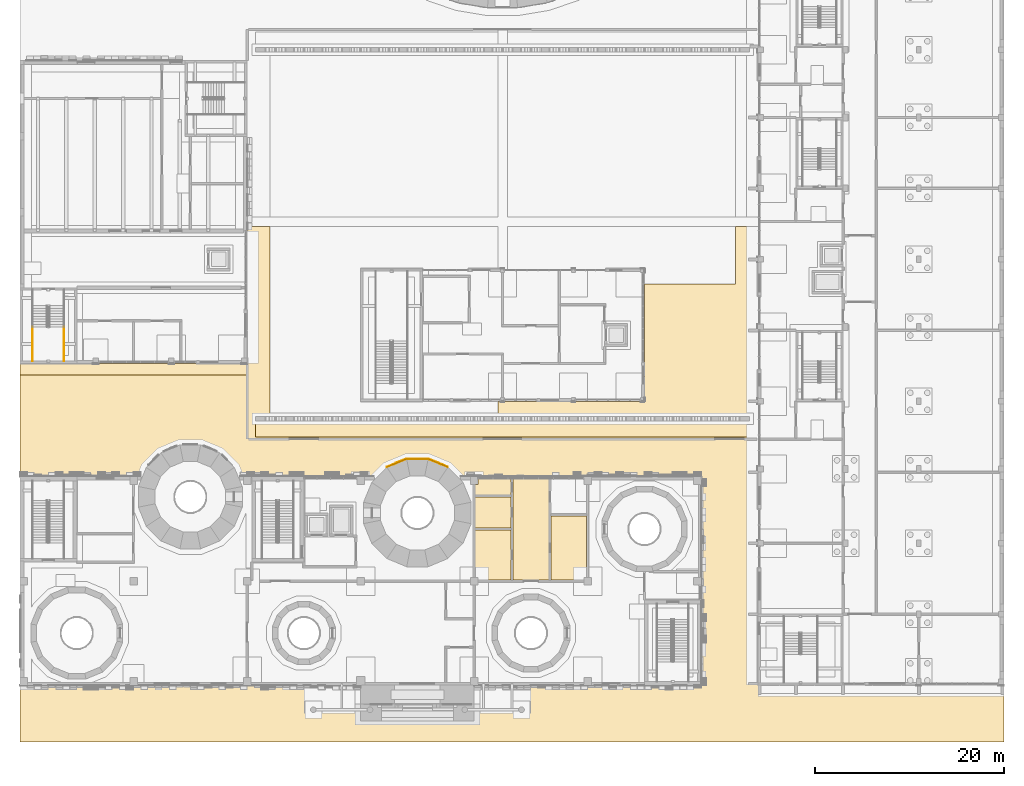
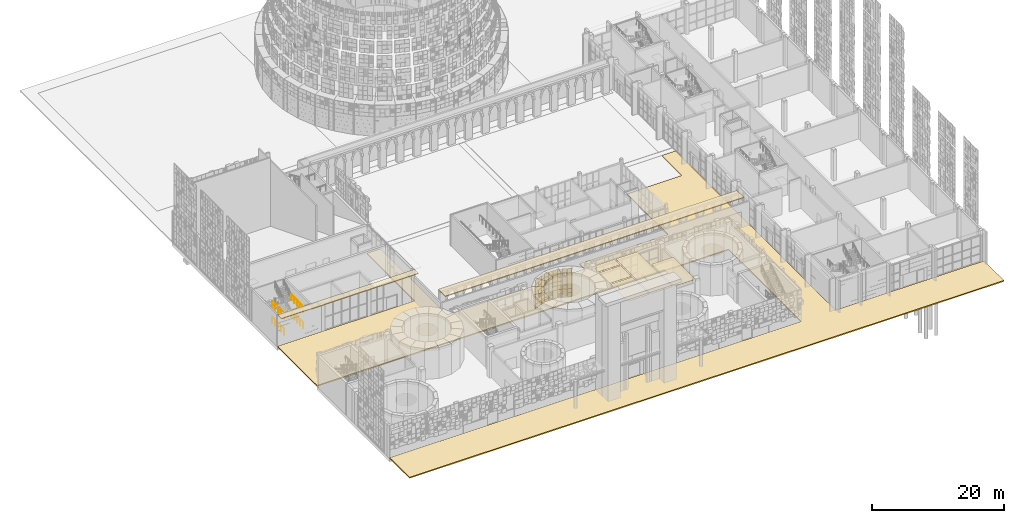
# One storey, part 86 of 125: 14 coverings, 4 railings.
"""IFC4 building model written with IfcOpenShell, lengths in metres."""

from ifc_helpers import new_model, si_unit, direction, frame, origin, origin_2d, place, context, subcontext, project, spatial, polyline, rectangle, circle, outline, extrude, material, layer, layer_set, type_object, element, save


model = new_model("IFC4")

# Units and contexts
model_context = context("Model", 3, precision=1e-05, world=origin(), true_north=direction((0.0, 1.0)))
body_context = subcontext(model_context, "Body", "Model", "MODEL_VIEW")
ifc_project = project(units=[si_unit("LENGTHUNIT", "METRE"), si_unit("AREAUNIT", "SQUARE_METRE"), si_unit("VOLUMEUNIT", "CUBIC_METRE"), si_unit("PLANEANGLEUNIT", "RADIAN"), si_unit("MASSUNIT", "GRAM", prefix="KILO")], contexts=[model_context])

# Site, building, storey
site_placement = place(None, origin())
site = spatial("IfcSite", under=ifc_project, at=site_placement, CompositionType="ELEMENT")
building_placement = place(site_placement, origin())
building = spatial("IfcBuilding", under=site, at=building_placement, Name="Sun Court Science Centre", CompositionType="ELEMENT")
storey_placement = place(building_placement, origin())
storey = spatial("IfcBuildingStorey", under=building, at=storey_placement, Name="L00", CompositionType="ELEMENT", Elevation=0.0)

# Coverings
ifc_material_1 = material(Name="Clay roof tiles")
ifc_layer_1 = layer(ifc_material_1, 0.14990234375)
ifc_layer_set_1 = layer_set([ifc_layer_1], Name="Clay roof tiles")
covering_type_1 = type_object("IfcCoveringType", Name="Arcade roof tiles 150", PredefinedType="ROOFING", material=ifc_layer_set_1)
covering_1_placement = place(storey_placement, frame((0.0, 0.0, 5.10009765625)))
element("IfcCovering", 1, at=covering_1_placement, inside=storey, type_object=covering_type_1, Name="Arcade roof AR1", PredefinedType="ROOFING", context=body_context, shape_type="SweptSolid", body=[
    extrude(outline(polyline([(24.89990234375, 32.25), (77.10009765625, 32.25), (77.10009765625, 34.39990234375), (24.89990234375, 34.39990234375), (24.89990234375, 32.25)])), origin(), (0.0, 0.0, 1.0), 0.14990234375),
])
ifc_material_2 = material(Name="Gypsum board")
ifc_layer_2 = layer(ifc_material_2, 0.030029296875)
ifc_layer_set_2 = layer_set([ifc_layer_2], Name="Gypsum board")
covering_type_2 = type_object("IfcCoveringType", Name="Ceiling suspended 600 module", PredefinedType="CEILING", material=ifc_layer_set_2)
covering_2_placement = place(storey_placement, frame((0.0, 0.0, 5.27001953125)))
element("IfcCovering", 2, at=covering_2_placement, inside=storey, type_object=covering_type_2, Name="L00-020 ceiling", PredefinedType="CEILING", context=body_context, shape_type="SweptSolid", body=[
    extrude(outline(polyline([(48.10009765625, 17.39990234375), (48.10009765625, 22.39990234375), (51.89990234375, 22.39990234375), (51.89990234375, 17.10009765625), (48.39990234375, 17.10009765625), (48.39990234375, 17.39990234375), (48.10009765625, 17.39990234375)])), origin(), (0.0, 0.0, 1.0), 0.030029296875),
])
covering_3_placement = place(storey_placement, frame((0.0, 0.0, 5.27001953125)))
element("IfcCovering", 3, at=covering_3_placement, inside=storey, type_object=covering_type_2, Name="L00-021 ceiling", PredefinedType="CEILING", context=body_context, shape_type="SweptSolid", body=[
    extrude(outline(polyline([(48.10009765625, 25.89990234375), (51.89990234375, 25.89990234375), (51.89990234375, 22.60009765625), (48.10009765625, 22.60009765625), (48.10009765625, 25.89990234375)])), origin(), (0.0, 0.0, 1.0), 0.030029296875),
])
covering_4_placement = place(storey_placement, frame((0.0, 0.0, 5.27001953125)))
element("IfcCovering", 4, at=covering_4_placement, inside=storey, type_object=covering_type_2, Name="L00-022 ceiling", PredefinedType="CEILING", context=body_context, shape_type="SweptSolid", body=[
    extrude(outline(polyline([(51.89990234375, 27.800048828125), (51.89990234375, 26.10009765625), (48.10009765625, 26.10009765625), (48.10009765625, 27.199951171875), (48.39990234375, 27.199951171875), (48.39990234375, 27.800048828125), (51.89990234375, 27.800048828125)])), origin(), (0.0, 0.0, 1.0), 0.030029296875),
])
covering_5_placement = place(storey_placement, frame((0.0, 0.0, 5.27001953125)))
element("IfcCovering", 5, at=covering_5_placement, inside=storey, type_object=covering_type_2, Name="L00-023 ceiling", PredefinedType="CEILING", context=body_context, shape_type="SweptSolid", body=[
    extrude(outline(polyline([(55.89990234375, 27.800048828125), (55.89990234375, 17.10009765625), (52.10009765625, 17.10009765625), (52.10009765625, 27.800048828125), (55.89990234375, 27.800048828125)])), origin(), (0.0, 0.0, 1.0), 0.030029296875),
])
covering_6_placement = place(storey_placement, frame((0.0, 0.0, 5.27001953125)))
element("IfcCovering", 6, at=covering_6_placement, inside=storey, type_object=covering_type_2, Name="L00-024 ceiling", PredefinedType="CEILING", context=body_context, shape_type="SweptSolid", body=[
    extrude(outline(polyline([(59.60009765625, 17.10009765625), (56.10009765625, 17.10009765625), (56.10009765625, 23.89990234375), (59.89990234375, 23.89990234375), (59.89990234375, 17.39990234375), (59.60009765625, 17.39990234375), (59.60009765625, 17.10009765625)])), origin(), (0.0, 0.0, 1.0), 0.030029296875),
])

# Railings
ifc_material_3 = material(Name="Steel S275", Category="steel")
railing_type = type_object("IfcRailingType", Name="Guard 1100 steel balustrade", PredefinedType="GUARDRAIL", material=ifc_material_3)
for number, where, name in (
    (7, (1.326904296875, 43.862060546875, 1.5), "L00 ST1 stair guard 3"),
    (8, (4.673095703125, 43.862060546875, 1.5), "L00 ST1 stair guard 4"),
    (9, (1.326904296875, 43.862060546875, 4.5), "L00 ST1 stair guard 11"),
    (10, (4.673095703125, 43.862060546875, 4.5), "L00 ST1 stair guard 12"),
):
    element("IfcRailing", number, at=place(storey_placement, frame(where)), inside=storey, type_object=railing_type, Name=name, PredefinedType="GUARDRAIL", context=body_context, shape_type="SweptSolid", body=[
        extrude(circle(Radius=0.02392578125, at=origin_2d()), frame((0.0, 0.0, 1.076171875), z_axis=(0.0, -1.0, 0.0), x_axis=(1.0, 0.0, 0.0)), (0.0, 0.0, 1.0), 3.612060546875),
        extrude(circle(Radius=0.02099609375, at=origin_2d()), origin(), (0.0, 0.0, 1.0), 1.052001953125),
        extrude(circle(Radius=0.02099609375, at=origin_2d()), frame((0.0, -0.903076171875, 0.0)), (0.0, 0.0, 1.0), 1.052001953125),
        extrude(circle(Radius=0.02099609375, at=origin_2d()), frame((0.0, -1.80615234375, 0.0)), (0.0, 0.0, 1.0), 1.052001953125),
        extrude(circle(Radius=0.02099609375, at=origin_2d()), frame((0.0, -2.708984375, 0.0)), (0.0, 0.0, 1.0), 1.052001953125),
        extrude(circle(Radius=0.02099609375, at=origin_2d()), frame((0.0, -3.612060546875, 0.0)), (0.0, 0.0, 1.0), 1.052001953125),
    ])

# Coverings
ifc_material_4 = material(Name="Red sandstone", Category="masonry")
ifc_layer_3 = layer(ifc_material_4, 0.1201171875)
ifc_layer_set_3 = layer_set([ifc_layer_3], Name="Red sandstone")
covering_type_3 = type_object("IfcCoveringType", Name="Sandstone chhajja eave 900", PredefinedType="CLADDING", material=ifc_layer_set_3)
covering_7_placement = place(storey_placement, frame((0.0, 0.0, 5.699951171875)))
element("IfcCovering", 11, at=covering_7_placement, inside=storey, type_object=covering_type_3, Name="Foyer chhajja eave south face", PredefinedType="CLADDING", context=body_context, shape_type="SweptSolid", body=[
    extrude(outline(polyline([(24.0, 40.0), (0.0, 40.0), (0.0, 38.800048828125), (24.0, 38.800048828125), (24.0, 40.0)])), origin(), (0.0, 0.0, 1.0), 0.1201171875),
])
ifc_material_5 = material(Name="Sandstone paving", Category="masonry")
ifc_layer_4 = layer(ifc_material_5, 0.199951171875)
ifc_layer_set_4 = layer_set([ifc_layer_4], Name="Sandstone paving")
covering_type_4 = type_object("IfcCoveringType", Name="Stone paving 200", PredefinedType="FLOORING", material=ifc_layer_set_4)
covering_8_placement = place(storey_placement, frame((0.0, 0.0, -0.199951171875)))
element("IfcCovering", 12, at=covering_8_placement, inside=storey, type_object=covering_type_4, Name="Site paving", PredefinedType="FLOORING", context=body_context, shape_type="SweptSolid", body=[
    extrude(outline(polyline([(0.0, 6.0), (72.0, 6.0), (72.0, 28.0), (0.0, 28.0), (0.0, 40.0), (24.0, 40.0), (24.0, 54.5), (26.39990234375, 54.5), (26.39990234375, 34.39990234375), (50.5, 34.39990234375), (50.5, 36.0), (66.0, 36.0), (66.0, 48.39990234375), (75.60009765625, 48.39990234375), (75.60009765625, 54.5), (78.0, 54.5), (78.0, 6.0), (104.0, 6.0), (104.0, 0.0), (0.0, 0.0), (0.0, 6.0)])), origin(), (0.0, 0.0, 1.0), 0.199951171875),
])
ifc_material_6 = material(Name="Terracotta jali", Category="masonry")
ifc_layer_5 = layer(ifc_material_6, 0.06005859375)
ifc_layer_set_5 = layer_set([ifc_layer_5], Name="Terracotta jali")
covering_type_5 = type_object("IfcCoveringType", Name="Terracotta open jali panel", PredefinedType="CLADDING", material=ifc_layer_set_5)
covering_9_placement = place(storey_placement, origin())
element("IfcCovering", 13, at=covering_9_placement, inside=storey, type_object=covering_type_5, Name="Open jali pixel cladding cone 4 L00", PredefinedType="CLADDING", context=body_context, shape_type="SweptSolid", body=[
    extrude(rectangle(XDim=0.139892578125, YDim=0.06005859375, at=origin_2d()), frame((43.21826171875, 29.885009765625, 0.0048828125), z_axis=(0.0, 0.0, 1.0), x_axis=(0.923879532511, -0.382683432365, 0.0)), (0.0, 0.0, 1.0), 0.739990234375),
    extrude(rectangle(XDim=0.139892578125, YDim=0.06005859375, at=origin_2d()), frame((43.49560546875, 29.770263671875, 0.0048828125), z_axis=(0.0, 0.0, 1.0), x_axis=(0.923879532511, -0.382683432365, 0.0)), (0.0, 0.0, 1.0), 0.739990234375),
    extrude(rectangle(XDim=0.139892578125, YDim=0.06005859375, at=origin_2d()), frame((43.772705078125, 29.655517578125, 0.0048828125), z_axis=(0.0, 0.0, 1.0), x_axis=(0.923879532511, -0.382683432365, 0.0)), (0.0, 0.0, 1.0), 0.739990234375),
    extrude(rectangle(XDim=0.139892578125, YDim=0.06005859375, at=origin_2d()), frame((43.9111328125, 29.59814453125, 3.7548828125), z_axis=(0.0, 0.0, 1.0), x_axis=(0.923879532511, -0.382683432365, 0.0)), (0.0, 0.0, 1.0), 0.739990234375),
    extrude(rectangle(XDim=0.139892578125, YDim=0.06005859375, at=origin_2d()), frame((44.1884765625, 29.483154296875, 3.7548828125), z_axis=(0.0, 0.0, 1.0), x_axis=(0.923879532511, -0.382683432365, 0.0)), (0.0, 0.0, 1.0), 0.739990234375),
    extrude(rectangle(XDim=0.139892578125, YDim=0.06005859375, at=origin_2d()), frame((44.465576171875, 29.368408203125, 3.7548828125), z_axis=(0.0, 0.0, 1.0), x_axis=(0.923879532511, -0.382683432365, 0.0)), (0.0, 0.0, 1.0), 0.739990234375),
    extrude(rectangle(XDim=0.139892578125, YDim=0.06005859375, at=origin_2d()), frame((43.21826171875, 29.885009765625, 4.5048828125), z_axis=(0.0, 0.0, 1.0), x_axis=(0.923879532511, -0.382683432365, 0.0)), (0.0, 0.0, 1.0), 0.739990234375),
    extrude(rectangle(XDim=0.139892578125, YDim=0.06005859375, at=origin_2d()), frame((43.49560546875, 29.770263671875, 4.5048828125), z_axis=(0.0, 0.0, 1.0), x_axis=(0.923879532511, -0.382683432365, 0.0)), (0.0, 0.0, 1.0), 0.739990234375),
    extrude(rectangle(XDim=0.139892578125, YDim=0.06005859375, at=origin_2d()), frame((43.772705078125, 29.655517578125, 4.5048828125), z_axis=(0.0, 0.0, 1.0), x_axis=(0.923879532511, -0.382683432365, 0.0)), (0.0, 0.0, 1.0), 0.739990234375),
    extrude(rectangle(XDim=0.139892578125, YDim=0.06005859375, at=origin_2d()), frame((41.699951171875, 29.91845703125, 0.7548828125), z_axis=(0.0, 0.0, 1.0), x_axis=(1.0, 0.0, 0.0)), (0.0, 0.0, 1.0), 0.739990234375),
    extrude(rectangle(XDim=0.139892578125, YDim=0.06005859375, at=origin_2d()), frame((42.0, 29.91845703125, 0.7548828125), z_axis=(0.0, 0.0, 1.0), x_axis=(1.0, 0.0, 0.0)), (0.0, 0.0, 1.0), 0.739990234375),
    extrude(rectangle(XDim=0.139892578125, YDim=0.06005859375, at=origin_2d()), frame((42.300048828125, 29.91845703125, 0.7548828125), z_axis=(0.0, 0.0, 1.0), x_axis=(1.0, 0.0, 0.0)), (0.0, 0.0, 1.0), 0.739990234375),
    extrude(rectangle(XDim=0.139892578125, YDim=0.06005859375, at=origin_2d()), frame((40.949951171875, 29.91845703125, 3.0048828125), z_axis=(0.0, 0.0, 1.0), x_axis=(1.0, 0.0, 0.0)), (0.0, 0.0, 1.0), 0.739990234375),
    extrude(rectangle(XDim=0.139892578125, YDim=0.06005859375, at=origin_2d()), frame((41.25, 29.91845703125, 3.0048828125), z_axis=(0.0, 0.0, 1.0), x_axis=(1.0, 0.0, 0.0)), (0.0, 0.0, 1.0), 0.739990234375),
    extrude(rectangle(XDim=0.139892578125, YDim=0.06005859375, at=origin_2d()), frame((41.550048828125, 29.91845703125, 3.0048828125), z_axis=(0.0, 0.0, 1.0), x_axis=(1.0, 0.0, 0.0)), (0.0, 0.0, 1.0), 0.739990234375),
    extrude(rectangle(XDim=0.139892578125, YDim=0.06005859375, at=origin_2d()), frame((41.699951171875, 29.91845703125, 3.7548828125), z_axis=(0.0, 0.0, 1.0), x_axis=(1.0, 0.0, 0.0)), (0.0, 0.0, 1.0), 0.739990234375),
    extrude(rectangle(XDim=0.139892578125, YDim=0.06005859375, at=origin_2d()), frame((42.0, 29.91845703125, 3.7548828125), z_axis=(0.0, 0.0, 1.0), x_axis=(1.0, 0.0, 0.0)), (0.0, 0.0, 1.0), 0.739990234375),
    extrude(rectangle(XDim=0.139892578125, YDim=0.06005859375, at=origin_2d()), frame((42.300048828125, 29.91845703125, 3.7548828125), z_axis=(0.0, 0.0, 1.0), x_axis=(1.0, 0.0, 0.0)), (0.0, 0.0, 1.0), 0.739990234375),
    extrude(rectangle(XDim=0.139892578125, YDim=0.06005859375, at=origin_2d()), frame((39.534423828125, 29.368408203125, 1.5048828125), z_axis=(0.0, 0.0, 1.0), x_axis=(0.923879532511, 0.382683432365, 0.0)), (0.0, 0.0, 1.0), 0.739990234375),
    extrude(rectangle(XDim=0.139892578125, YDim=0.06005859375, at=origin_2d()), frame((39.8115234375, 29.483154296875, 1.5048828125), z_axis=(0.0, 0.0, 1.0), x_axis=(0.923879532511, 0.382683432365, 0.0)), (0.0, 0.0, 1.0), 0.739990234375),
    extrude(rectangle(XDim=0.139892578125, YDim=0.06005859375, at=origin_2d()), frame((40.0888671875, 29.59814453125, 1.5048828125), z_axis=(0.0, 0.0, 1.0), x_axis=(0.923879532511, 0.382683432365, 0.0)), (0.0, 0.0, 1.0), 0.739990234375),
    extrude(rectangle(XDim=0.139892578125, YDim=0.06005859375, at=origin_2d()), frame((39.534423828125, 29.368408203125, 3.7548828125), z_axis=(0.0, 0.0, 1.0), x_axis=(0.923879532511, 0.382683432365, 0.0)), (0.0, 0.0, 1.0), 0.739990234375),
    extrude(rectangle(XDim=0.139892578125, YDim=0.06005859375, at=origin_2d()), frame((39.8115234375, 29.483154296875, 3.7548828125), z_axis=(0.0, 0.0, 1.0), x_axis=(0.923879532511, 0.382683432365, 0.0)), (0.0, 0.0, 1.0), 0.739990234375),
    extrude(rectangle(XDim=0.139892578125, YDim=0.06005859375, at=origin_2d()), frame((40.0888671875, 29.59814453125, 3.7548828125), z_axis=(0.0, 0.0, 1.0), x_axis=(0.923879532511, 0.382683432365, 0.0)), (0.0, 0.0, 1.0), 0.739990234375),
    extrude(rectangle(XDim=0.139892578125, YDim=0.06005859375, at=origin_2d()), frame((40.227294921875, 29.655517578125, 4.5048828125), z_axis=(0.0, 0.0, 1.0), x_axis=(0.923879532511, 0.382683432365, 0.0)), (0.0, 0.0, 1.0), 0.739990234375),
    extrude(rectangle(XDim=0.139892578125, YDim=0.06005859375, at=origin_2d()), frame((40.50439453125, 29.770263671875, 4.5048828125), z_axis=(0.0, 0.0, 1.0), x_axis=(0.923879532511, 0.382683432365, 0.0)), (0.0, 0.0, 1.0), 0.739990234375),
    extrude(rectangle(XDim=0.139892578125, YDim=0.06005859375, at=origin_2d()), frame((40.78173828125, 29.885009765625, 4.5048828125), z_axis=(0.0, 0.0, 1.0), x_axis=(0.923879532511, 0.382683432365, 0.0)), (0.0, 0.0, 1.0), 0.739990234375),
])
ifc_material_7 = material(Name="Terracotta shade 1", Category="masonry")
ifc_layer_6 = layer(ifc_material_7, 0.06005859375)
ifc_layer_set_6 = layer_set([ifc_layer_6], Name="Terracotta shade 1")
covering_type_6 = type_object("IfcCoveringType", Name="Terracotta pixel panel shade 1", PredefinedType="CLADDING", material=ifc_layer_set_6)
covering_10_placement = place(storey_placement, origin())
element("IfcCovering", 14, at=covering_10_placement, inside=storey, type_object=covering_type_6, Name="Terracotta pixel cladding shade 1 cone 4 L00", PredefinedType="CLADDING", context=body_context, shape_type="SweptSolid", body=[
    extrude(rectangle(XDim=0.739990234375, YDim=0.06005859375, at=origin_2d()), frame((44.1884765625, 29.483154296875, 0.0048828125), z_axis=(0.0, 0.0, 1.0), x_axis=(0.923879532511, -0.382683432365, 0.0)), (0.0, 0.0, 1.0), 0.739990234375),
    extrude(rectangle(XDim=0.739990234375, YDim=0.06005859375, at=origin_2d()), frame((44.88134765625, 29.1962890625, 0.0048828125), z_axis=(0.0, 0.0, 1.0), x_axis=(0.923879532511, -0.382683432365, 0.0)), (0.0, 0.0, 1.0), 0.739990234375),
    extrude(rectangle(XDim=0.739990234375, YDim=0.06005859375, at=origin_2d()), frame((44.1884765625, 29.483154296875, 0.7548828125), z_axis=(0.0, 0.0, 1.0), x_axis=(0.923879532511, -0.382683432365, 0.0)), (0.0, 0.0, 1.0), 0.739990234375),
    extrude(rectangle(XDim=0.739990234375, YDim=0.06005859375, at=origin_2d()), frame((43.49560546875, 29.770263671875, 1.5048828125), z_axis=(0.0, 0.0, 1.0), x_axis=(0.923879532511, -0.382683432365, 0.0)), (0.0, 0.0, 1.0), 0.739990234375),
    extrude(rectangle(XDim=0.739990234375, YDim=0.06005859375, at=origin_2d()), frame((44.88134765625, 29.1962890625, 1.5048828125), z_axis=(0.0, 0.0, 1.0), x_axis=(0.923879532511, -0.382683432365, 0.0)), (0.0, 0.0, 1.0), 0.739990234375),
    extrude(rectangle(XDim=0.739990234375, YDim=0.06005859375, at=origin_2d()), frame((44.1884765625, 29.483154296875, 2.2548828125), z_axis=(0.0, 0.0, 1.0), x_axis=(0.923879532511, -0.382683432365, 0.0)), (0.0, 0.0, 1.0), 0.739990234375),
    extrude(rectangle(XDim=0.739990234375, YDim=0.06005859375, at=origin_2d()), frame((44.1884765625, 29.483154296875, 3.0048828125), z_axis=(0.0, 0.0, 1.0), x_axis=(0.923879532511, -0.382683432365, 0.0)), (0.0, 0.0, 1.0), 0.739990234375),
    extrude(rectangle(XDim=0.739990234375, YDim=0.06005859375, at=origin_2d()), frame((44.88134765625, 29.1962890625, 3.0048828125), z_axis=(0.0, 0.0, 1.0), x_axis=(0.923879532511, -0.382683432365, 0.0)), (0.0, 0.0, 1.0), 0.739990234375),
    extrude(rectangle(XDim=0.739990234375, YDim=0.06005859375, at=origin_2d()), frame((44.88134765625, 29.1962890625, 3.7548828125), z_axis=(0.0, 0.0, 1.0), x_axis=(0.923879532511, -0.382683432365, 0.0)), (0.0, 0.0, 1.0), 0.739990234375),
    extrude(rectangle(XDim=0.739990234375, YDim=0.06005859375, at=origin_2d()), frame((44.1884765625, 29.483154296875, 4.5048828125), z_axis=(0.0, 0.0, 1.0), x_axis=(0.923879532511, -0.382683432365, 0.0)), (0.0, 0.0, 1.0), 0.739990234375),
    extrude(rectangle(XDim=0.739990234375, YDim=0.06005859375, at=origin_2d()), frame((41.25, 29.91845703125, 0.0048828125), z_axis=(0.0, 0.0, 1.0), x_axis=(1.0, 0.0, 0.0)), (0.0, 0.0, 1.0), 0.739990234375),
    extrude(rectangle(XDim=0.739990234375, YDim=0.06005859375, at=origin_2d()), frame((41.25, 29.91845703125, 3.7548828125), z_axis=(0.0, 0.0, 1.0), x_axis=(1.0, 0.0, 0.0)), (0.0, 0.0, 1.0), 0.739990234375),
    extrude(rectangle(XDim=0.739990234375, YDim=0.06005859375, at=origin_2d()), frame((42.75, 29.91845703125, 4.5048828125), z_axis=(0.0, 0.0, 1.0), x_axis=(1.0, 0.0, 0.0)), (0.0, 0.0, 1.0), 0.739990234375),
    extrude(rectangle(XDim=0.739990234375, YDim=0.06005859375, at=origin_2d()), frame((40.50439453125, 29.770263671875, 0.0048828125), z_axis=(0.0, 0.0, 1.0), x_axis=(0.923879532511, 0.382683432365, 0.0)), (0.0, 0.0, 1.0), 0.739990234375),
    extrude(rectangle(XDim=0.739990234375, YDim=0.06005859375, at=origin_2d()), frame((40.50439453125, 29.770263671875, 1.5048828125), z_axis=(0.0, 0.0, 1.0), x_axis=(0.923879532511, 0.382683432365, 0.0)), (0.0, 0.0, 1.0), 0.739990234375),
    extrude(rectangle(XDim=0.739990234375, YDim=0.06005859375, at=origin_2d()), frame((39.8115234375, 29.483154296875, 2.2548828125), z_axis=(0.0, 0.0, 1.0), x_axis=(0.923879532511, 0.382683432365, 0.0)), (0.0, 0.0, 1.0), 0.739990234375),
    extrude(rectangle(XDim=0.739990234375, YDim=0.06005859375, at=origin_2d()), frame((44.88134765625, 29.1962890625, 2.2548828125), z_axis=(0.0, 0.0, 1.0), x_axis=(0.923879532511, -0.382683432365, 0.0)), (0.0, 0.0, 1.0), 0.739990234375),
    extrude(rectangle(XDim=0.739990234375, YDim=0.06005859375, at=origin_2d()), frame((44.88134765625, 29.1962890625, 4.5048828125), z_axis=(0.0, 0.0, 1.0), x_axis=(0.923879532511, -0.382683432365, 0.0)), (0.0, 0.0, 1.0), 0.739990234375),
])
ifc_material_8 = material(Name="Terracotta shade 2", Category="masonry")
ifc_layer_7 = layer(ifc_material_8, 0.06005859375)
ifc_layer_set_7 = layer_set([ifc_layer_7], Name="Terracotta shade 2")
covering_type_7 = type_object("IfcCoveringType", Name="Terracotta pixel panel shade 2", PredefinedType="CLADDING", material=ifc_layer_set_7)
covering_11_placement = place(storey_placement, origin())
element("IfcCovering", 15, at=covering_11_placement, inside=storey, type_object=covering_type_7, Name="Terracotta pixel cladding shade 2 cone 4 L00", PredefinedType="CLADDING", context=body_context, shape_type="SweptSolid", body=[
    extrude(rectangle(XDim=0.739990234375, YDim=0.06005859375, at=origin_2d()), frame((43.49560546875, 29.770263671875, 3.0048828125), z_axis=(0.0, 0.0, 1.0), x_axis=(0.923879532511, -0.382683432365, 0.0)), (0.0, 0.0, 1.0), 0.739990234375),
    extrude(rectangle(XDim=0.739990234375, YDim=0.06005859375, at=origin_2d()), frame((42.0, 29.91845703125, 1.5048828125), z_axis=(0.0, 0.0, 1.0), x_axis=(1.0, 0.0, 0.0)), (0.0, 0.0, 1.0), 0.739990234375),
    extrude(rectangle(XDim=0.739990234375, YDim=0.06005859375, at=origin_2d()), frame((42.75, 29.91845703125, 1.5048828125), z_axis=(0.0, 0.0, 1.0), x_axis=(1.0, 0.0, 0.0)), (0.0, 0.0, 1.0), 0.739990234375),
    extrude(rectangle(XDim=0.739990234375, YDim=0.06005859375, at=origin_2d()), frame((42.0, 29.91845703125, 2.2548828125), z_axis=(0.0, 0.0, 1.0), x_axis=(1.0, 0.0, 0.0)), (0.0, 0.0, 1.0), 0.739990234375),
    extrude(rectangle(XDim=0.739990234375, YDim=0.06005859375, at=origin_2d()), frame((42.75, 29.91845703125, 3.0048828125), z_axis=(0.0, 0.0, 1.0), x_axis=(1.0, 0.0, 0.0)), (0.0, 0.0, 1.0), 0.739990234375),
    extrude(rectangle(XDim=0.739990234375, YDim=0.06005859375, at=origin_2d()), frame((42.75, 29.91845703125, 3.7548828125), z_axis=(0.0, 0.0, 1.0), x_axis=(1.0, 0.0, 0.0)), (0.0, 0.0, 1.0), 0.739990234375),
    extrude(rectangle(XDim=0.739990234375, YDim=0.06005859375, at=origin_2d()), frame((41.25, 29.91845703125, 4.5048828125), z_axis=(0.0, 0.0, 1.0), x_axis=(1.0, 0.0, 0.0)), (0.0, 0.0, 1.0), 0.739990234375),
    extrude(rectangle(XDim=0.739990234375, YDim=0.06005859375, at=origin_2d()), frame((39.8115234375, 29.483154296875, 0.7548828125), z_axis=(0.0, 0.0, 1.0), x_axis=(0.923879532511, 0.382683432365, 0.0)), (0.0, 0.0, 1.0), 0.739990234375),
    extrude(rectangle(XDim=0.739990234375, YDim=0.06005859375, at=origin_2d()), frame((39.11865234375, 29.1962890625, 2.2548828125), z_axis=(0.0, 0.0, 1.0), x_axis=(0.923879532511, 0.382683432365, 0.0)), (0.0, 0.0, 1.0), 0.739990234375),
    extrude(rectangle(XDim=0.739990234375, YDim=0.06005859375, at=origin_2d()), frame((39.11865234375, 29.1962890625, 3.0048828125), z_axis=(0.0, 0.0, 1.0), x_axis=(0.923879532511, 0.382683432365, 0.0)), (0.0, 0.0, 1.0), 0.739990234375),
    extrude(rectangle(XDim=0.739990234375, YDim=0.06005859375, at=origin_2d()), frame((39.8115234375, 29.483154296875, 3.0048828125), z_axis=(0.0, 0.0, 1.0), x_axis=(0.923879532511, 0.382683432365, 0.0)), (0.0, 0.0, 1.0), 0.739990234375),
    extrude(rectangle(XDim=0.739990234375, YDim=0.06005859375, at=origin_2d()), frame((39.8115234375, 29.483154296875, 4.5048828125), z_axis=(0.0, 0.0, 1.0), x_axis=(0.923879532511, 0.382683432365, 0.0)), (0.0, 0.0, 1.0), 0.739990234375),
    extrude(rectangle(XDim=0.739990234375, YDim=0.06005859375, at=origin_2d()), frame((42.0, 29.91845703125, 4.5048828125), z_axis=(0.0, 0.0, 1.0), x_axis=(1.0, 0.0, 0.0)), (0.0, 0.0, 1.0), 0.739990234375),
    extrude(rectangle(XDim=0.739990234375, YDim=0.06005859375, at=origin_2d()), frame((39.11865234375, 29.1962890625, 4.5048828125), z_axis=(0.0, 0.0, 1.0), x_axis=(0.923879532511, 0.382683432365, 0.0)), (0.0, 0.0, 1.0), 0.739990234375),
    extrude(rectangle(XDim=0.739990234375, YDim=0.06005859375, at=origin_2d()), frame((39.11865234375, 29.1962890625, 0.7548828125), z_axis=(0.0, 0.0, 1.0), x_axis=(0.923879532511, 0.382683432365, 0.0)), (0.0, 0.0, 1.0), 0.739990234375),
    extrude(rectangle(XDim=0.739990234375, YDim=0.06005859375, at=origin_2d()), frame((39.11865234375, 29.1962890625, 1.5048828125), z_axis=(0.0, 0.0, 1.0), x_axis=(0.923879532511, 0.382683432365, 0.0)), (0.0, 0.0, 1.0), 0.739990234375),
])
ifc_material_9 = material(Name="Terracotta shade 3", Category="masonry")
ifc_layer_8 = layer(ifc_material_9, 0.06005859375)
ifc_layer_set_8 = layer_set([ifc_layer_8], Name="Terracotta shade 3")
covering_type_8 = type_object("IfcCoveringType", Name="Terracotta pixel panel shade 3", PredefinedType="CLADDING", material=ifc_layer_set_8)
covering_12_placement = place(storey_placement, origin())
element("IfcCovering", 16, at=covering_12_placement, inside=storey, type_object=covering_type_8, Name="Terracotta pixel cladding shade 3 cone 4 L00", PredefinedType="CLADDING", context=body_context, shape_type="SweptSolid", body=[
    extrude(rectangle(XDim=0.739990234375, YDim=0.06005859375, at=origin_2d()), frame((43.49560546875, 29.770263671875, 3.7548828125), z_axis=(0.0, 0.0, 1.0), x_axis=(0.923879532511, -0.382683432365, 0.0)), (0.0, 0.0, 1.0), 0.739990234375),
    extrude(rectangle(XDim=0.739990234375, YDim=0.06005859375, at=origin_2d()), frame((42.0, 29.91845703125, 0.0048828125), z_axis=(0.0, 0.0, 1.0), x_axis=(1.0, 0.0, 0.0)), (0.0, 0.0, 1.0), 0.739990234375),
    extrude(rectangle(XDim=0.739990234375, YDim=0.06005859375, at=origin_2d()), frame((41.25, 29.91845703125, 0.7548828125), z_axis=(0.0, 0.0, 1.0), x_axis=(1.0, 0.0, 0.0)), (0.0, 0.0, 1.0), 0.739990234375),
    extrude(rectangle(XDim=0.739990234375, YDim=0.06005859375, at=origin_2d()), frame((41.25, 29.91845703125, 2.2548828125), z_axis=(0.0, 0.0, 1.0), x_axis=(1.0, 0.0, 0.0)), (0.0, 0.0, 1.0), 0.739990234375),
    extrude(rectangle(XDim=0.739990234375, YDim=0.06005859375, at=origin_2d()), frame((42.75, 29.91845703125, 2.2548828125), z_axis=(0.0, 0.0, 1.0), x_axis=(1.0, 0.0, 0.0)), (0.0, 0.0, 1.0), 0.739990234375),
    extrude(rectangle(XDim=0.739990234375, YDim=0.06005859375, at=origin_2d()), frame((39.11865234375, 29.1962890625, 0.0048828125), z_axis=(0.0, 0.0, 1.0), x_axis=(0.923879532511, 0.382683432365, 0.0)), (0.0, 0.0, 1.0), 0.739990234375),
    extrude(rectangle(XDim=0.739990234375, YDim=0.06005859375, at=origin_2d()), frame((39.8115234375, 29.483154296875, 0.0048828125), z_axis=(0.0, 0.0, 1.0), x_axis=(0.923879532511, 0.382683432365, 0.0)), (0.0, 0.0, 1.0), 0.739990234375),
    extrude(rectangle(XDim=0.739990234375, YDim=0.06005859375, at=origin_2d()), frame((40.50439453125, 29.770263671875, 3.0048828125), z_axis=(0.0, 0.0, 1.0), x_axis=(0.923879532511, 0.382683432365, 0.0)), (0.0, 0.0, 1.0), 0.739990234375),
    extrude(rectangle(XDim=0.739990234375, YDim=0.06005859375, at=origin_2d()), frame((40.50439453125, 29.770263671875, 3.7548828125), z_axis=(0.0, 0.0, 1.0), x_axis=(0.923879532511, 0.382683432365, 0.0)), (0.0, 0.0, 1.0), 0.739990234375),
    extrude(rectangle(XDim=0.739990234375, YDim=0.06005859375, at=origin_2d()), frame((39.11865234375, 29.1962890625, 3.7548828125), z_axis=(0.0, 0.0, 1.0), x_axis=(0.923879532511, 0.382683432365, 0.0)), (0.0, 0.0, 1.0), 0.739990234375),
])
ifc_material_10 = material(Name="Terracotta shade 4", Category="masonry")
ifc_layer_9 = layer(ifc_material_10, 0.06005859375)
ifc_layer_set_9 = layer_set([ifc_layer_9], Name="Terracotta shade 4")
covering_type_9 = type_object("IfcCoveringType", Name="Terracotta pixel panel shade 4", PredefinedType="CLADDING", material=ifc_layer_set_9)
covering_13_placement = place(storey_placement, origin())
element("IfcCovering", 17, at=covering_13_placement, inside=storey, type_object=covering_type_9, Name="Terracotta pixel cladding shade 4 cone 4 L00", PredefinedType="CLADDING", context=body_context, shape_type="SweptSolid", body=[
    extrude(rectangle(XDim=0.739990234375, YDim=0.06005859375, at=origin_2d()), frame((44.88134765625, 29.1962890625, 0.7548828125), z_axis=(0.0, 0.0, 1.0), x_axis=(0.923879532511, -0.382683432365, 0.0)), (0.0, 0.0, 1.0), 0.739990234375),
    extrude(rectangle(XDim=0.739990234375, YDim=0.06005859375, at=origin_2d()), frame((44.1884765625, 29.483154296875, 1.5048828125), z_axis=(0.0, 0.0, 1.0), x_axis=(0.923879532511, -0.382683432365, 0.0)), (0.0, 0.0, 1.0), 0.739990234375),
    extrude(rectangle(XDim=0.739990234375, YDim=0.06005859375, at=origin_2d()), frame((42.75, 29.91845703125, 0.0048828125), z_axis=(0.0, 0.0, 1.0), x_axis=(1.0, 0.0, 0.0)), (0.0, 0.0, 1.0), 0.739990234375),
    extrude(rectangle(XDim=0.739990234375, YDim=0.06005859375, at=origin_2d()), frame((42.75, 29.91845703125, 0.7548828125), z_axis=(0.0, 0.0, 1.0), x_axis=(1.0, 0.0, 0.0)), (0.0, 0.0, 1.0), 0.739990234375),
    extrude(rectangle(XDim=0.739990234375, YDim=0.06005859375, at=origin_2d()), frame((42.0, 29.91845703125, 3.0048828125), z_axis=(0.0, 0.0, 1.0), x_axis=(1.0, 0.0, 0.0)), (0.0, 0.0, 1.0), 0.739990234375),
    extrude(rectangle(XDim=0.739990234375, YDim=0.06005859375, at=origin_2d()), frame((40.50439453125, 29.770263671875, 2.2548828125), z_axis=(0.0, 0.0, 1.0), x_axis=(0.923879532511, 0.382683432365, 0.0)), (0.0, 0.0, 1.0), 0.739990234375),
])
ifc_material_11 = material(Name="Terracotta shade 5", Category="masonry")
ifc_layer_10 = layer(ifc_material_11, 0.06005859375)
ifc_layer_set_10 = layer_set([ifc_layer_10], Name="Terracotta shade 5")
covering_type_10 = type_object("IfcCoveringType", Name="Terracotta pixel panel shade 5", PredefinedType="CLADDING", material=ifc_layer_set_10)
covering_14_placement = place(storey_placement, origin())
element("IfcCovering", 18, at=covering_14_placement, inside=storey, type_object=covering_type_10, Name="Terracotta pixel cladding shade 5 cone 4 L00", PredefinedType="CLADDING", context=body_context, shape_type="SweptSolid", body=[
    extrude(rectangle(XDim=0.739990234375, YDim=0.06005859375, at=origin_2d()), frame((43.49560546875, 29.770263671875, 0.7548828125), z_axis=(0.0, 0.0, 1.0), x_axis=(0.923879532511, -0.382683432365, 0.0)), (0.0, 0.0, 1.0), 0.739990234375),
    extrude(rectangle(XDim=0.739990234375, YDim=0.06005859375, at=origin_2d()), frame((43.49560546875, 29.770263671875, 2.2548828125), z_axis=(0.0, 0.0, 1.0), x_axis=(0.923879532511, -0.382683432365, 0.0)), (0.0, 0.0, 1.0), 0.739990234375),
    extrude(rectangle(XDim=0.739990234375, YDim=0.06005859375, at=origin_2d()), frame((41.25, 29.91845703125, 1.5048828125), z_axis=(0.0, 0.0, 1.0), x_axis=(1.0, 0.0, 0.0)), (0.0, 0.0, 1.0), 0.739990234375),
    extrude(rectangle(XDim=0.739990234375, YDim=0.06005859375, at=origin_2d()), frame((40.50439453125, 29.770263671875, 0.7548828125), z_axis=(0.0, 0.0, 1.0), x_axis=(0.923879532511, 0.382683432365, 0.0)), (0.0, 0.0, 1.0), 0.739990234375),
])

save(model, "model.ifc")
